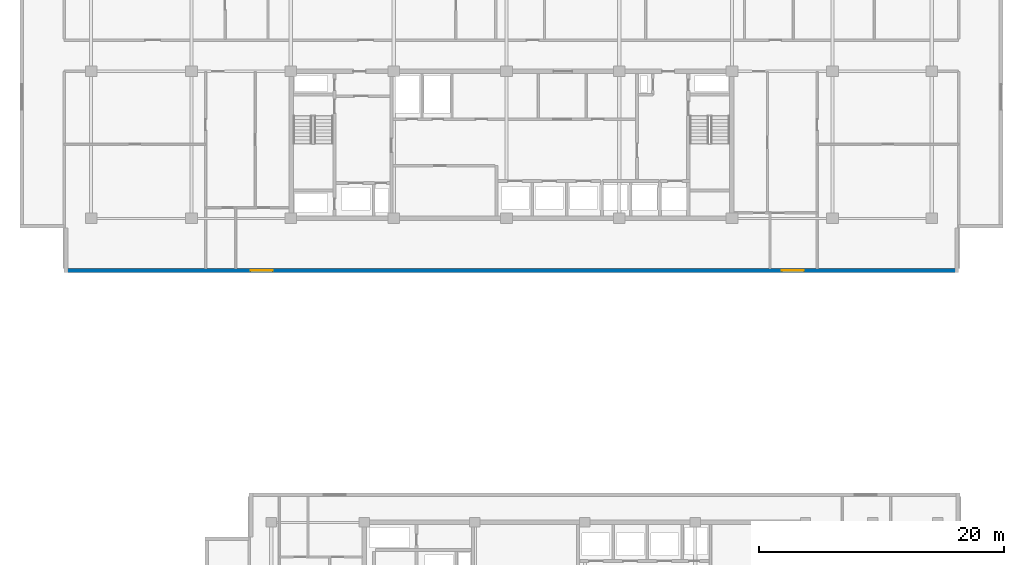
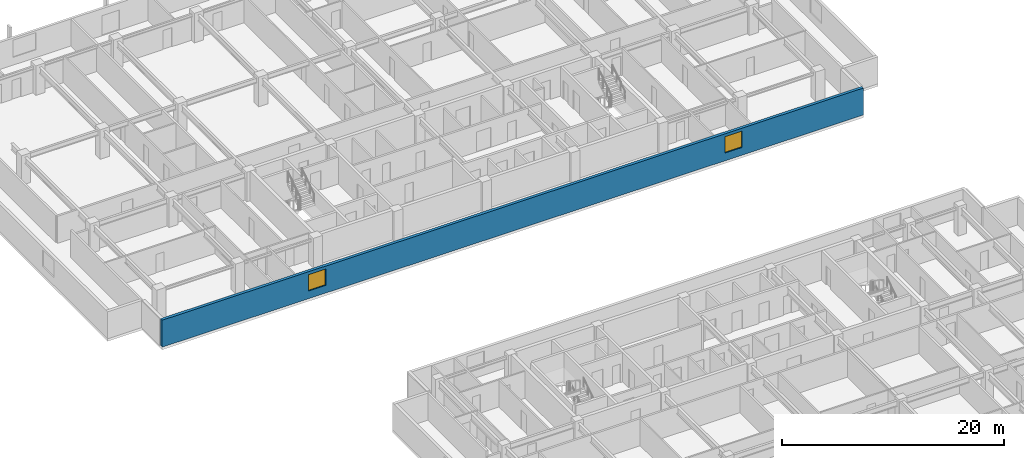
# One storey, part 9 of 22: 2 windows, 1 wall, 2 openings.
"""IFC4 building model written with IfcOpenShell, lengths in metres."""

from ifc_helpers import new_model, si_unit, direction, frame, frame_2d, origin, place, context, subcontext, project, spatial, rectangle, extrude, material, layer, layer_set, type_object, element, fill, save


model = new_model("IFC4")

# Units and contexts
model_context = context("Model", 3, precision=1e-05, world=origin(), true_north=direction((0.0, 1.0)))
body_context = subcontext(model_context, "Body", "Model", "MODEL_VIEW")
ifc_project = project(units=[si_unit("LENGTHUNIT", "METRE"), si_unit("AREAUNIT", "SQUARE_METRE"), si_unit("VOLUMEUNIT", "CUBIC_METRE"), si_unit("PLANEANGLEUNIT", "RADIAN"), si_unit("MASSUNIT", "GRAM", prefix="KILO")], contexts=[model_context])

# Site, building, storey
site_placement = place(None, origin())
site = spatial("IfcSite", under=ifc_project, at=site_placement, CompositionType="ELEMENT")
building_placement = place(site_placement, origin())
building = spatial("IfcBuilding", under=site, at=building_placement, Name="Korimba Cascade Residences", CompositionType="ELEMENT")
storey_placement = place(building_placement, frame((0.0, 0.0, 126.300048828125)))
storey = spatial("IfcBuildingStorey", under=building, at=storey_placement, Name="L36", CompositionType="ELEMENT", Elevation=126.300048828125)

# Wall, openings, windows
ifc_material_1 = material(Name="Precast concrete C40/50", Category="concrete")
ifc_layer = layer(ifc_material_1, 0.300048828125)
ifc_layer_set = layer_set([ifc_layer], Name="Precast concrete C40/50")
wall_type = type_object("IfcWallType", Name="EW-STONE-300", PredefinedType="STANDARD", material=ifc_layer_set)
wall_placement = place(storey_placement, frame((57.60009765625, 50.949951171875, 0.0), z_axis=(0.0, 0.0, 1.0), x_axis=(1.0, 0.0, 0.0)))
wall = element("IfcWall", 1, at=wall_placement, inside=storey, type_object=wall_type, Name="L36 T1 Perimeter Stone Wall E00", PredefinedType="STANDARD", context=body_context, shape_type="SweptSolid", body=[
    extrude(rectangle(XDim=73.0, YDim=0.300048828125, at=frame_2d((36.5, 0.0))), origin(), (0.0, 0.0, 1.0), 2.969970703125),
])
opening_1_placement = place(wall_placement, frame((15.22509765625, 0.0, 0.85009765625)))
opening_1 = element("IfcOpeningElement", 2, at=opening_1_placement, cuts=wall, Name="Opening W-02", PredefinedType="OPENING", context=body_context, shape_type="SweptSolid", body=[
    extrude(rectangle(XDim=1.800048828125, YDim=1.800048828125, at=frame_2d((0.89990234375, 0.89990234375))), frame((0.0, 0.16015625, 0.0), z_axis=(0.0, -1.0, 0.0), x_axis=(1.0, 0.0, 0.0)), (0.0, 0.0, 1.0), 0.320068359375),
])
opening_2_placement = place(wall_placement, frame((58.574951171875, 0.0, 0.85009765625)))
opening_2 = element("IfcOpeningElement", 3, at=opening_2_placement, cuts=wall, Name="Opening W-02", PredefinedType="OPENING", context=body_context, shape_type="SweptSolid", body=[
    extrude(rectangle(XDim=1.800048828125, YDim=1.800048828125, at=frame_2d((0.89990234375, 0.89990234375))), frame((0.0, 0.16015625, 0.0), z_axis=(0.0, -1.0, 0.0), x_axis=(1.0, 0.0, 0.0)), (0.0, 0.0, 1.0), 0.320068359375),
])
ifc_material_2 = material(Name="Double-Glazed Aluminium Window", Category="aluminium")
window_type = type_object("IfcWindowType", Name="WIN-BED-1800", PartitioningType="SINGLE_PANEL", PredefinedType="WINDOW", material=ifc_material_2)
window_1_placement = place(opening_1_placement, origin())
window_1 = element("IfcWindow", 4, at=window_1_placement, inside=storey, type_object=window_type, Name="L36 T1 South Corner Bedroom Window 1", OverallHeight=1.800048828125, OverallWidth=1.800048828125, PartitioningType="SINGLE_PANEL", PredefinedType="WINDOW", context=body_context, shape_type="SweptSolid", body=[
    extrude(rectangle(XDim=1.800048828125, YDim=1.800048828125, at=frame_2d((0.89990234375, 0.89990234375))), frame((0.0, 0.030029296875, 0.0), z_axis=(0.0, -1.0, 0.0), x_axis=(1.0, 0.0, 0.0)), (0.0, 0.0, 1.0), 0.06005859375),
])
fill(opening_1, window_1)
window_2_placement = place(opening_2_placement, origin())
window_2 = element("IfcWindow", 5, at=window_2_placement, inside=storey, type_object=window_type, Name="L36 T1 South Corner Bedroom Window 2", OverallHeight=1.800048828125, OverallWidth=1.800048828125, PartitioningType="SINGLE_PANEL", PredefinedType="WINDOW", context=body_context, shape_type="SweptSolid", body=[
    extrude(rectangle(XDim=1.800048828125, YDim=1.800048828125, at=frame_2d((0.89990234375, 0.89990234375))), frame((0.0, 0.030029296875, 0.0), z_axis=(0.0, -1.0, 0.0), x_axis=(1.0, 0.0, 0.0)), (0.0, 0.0, 1.0), 0.06005859375),
])
fill(opening_2, window_2)

save(model, "model.ifc")
